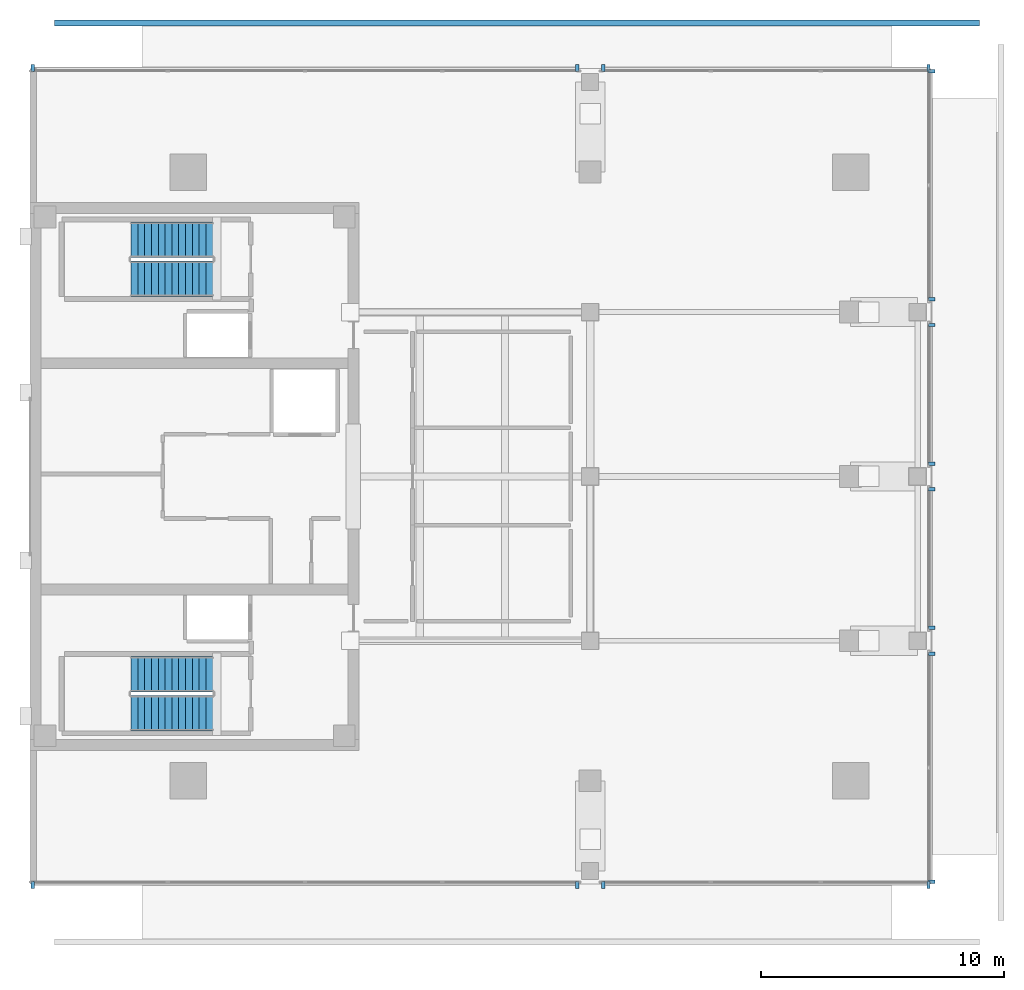
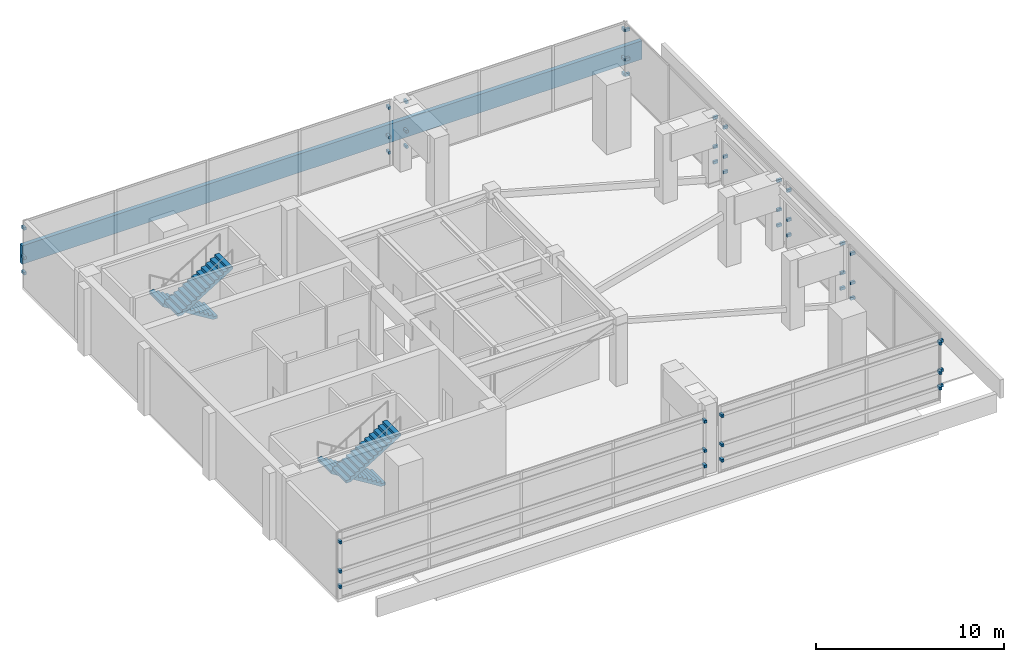
# One storey, part 9 of 13: 48 discrete accessories, 4 stair flights, 1 wall, 2 elements without a shape of their own.
"""IFC4 building model written with IfcOpenShell, lengths in metres."""

from ifc_helpers import new_model, si_unit, direction, frame, frame_2d, origin, origin_2d, place, context, subcontext, project, spatial, polyline, rectangle, outline, extrude, material, layer, layer_set, type_object, element, aggregate, save


model = new_model("IFC4")

# Units and contexts
model_context = context("Model", 3, precision=1e-05, world=origin(), true_north=direction((0.0, 1.0)))
body_context = subcontext(model_context, "Body", "Model", "MODEL_VIEW")
ifc_project = project(units=[si_unit("LENGTHUNIT", "METRE"), si_unit("AREAUNIT", "SQUARE_METRE"), si_unit("VOLUMEUNIT", "CUBIC_METRE"), si_unit("PLANEANGLEUNIT", "RADIAN"), si_unit("MASSUNIT", "GRAM", prefix="KILO")], contexts=[model_context])

# Site, building, storey
site_placement = place(None, origin())
site = spatial("IfcSite", under=ifc_project, at=site_placement, CompositionType="ELEMENT")
building_placement = place(site_placement, origin())
building = spatial("IfcBuilding", under=site, at=building_placement, Name="Kinhvarn Gate Tower", CompositionType="ELEMENT")
storey_placement = place(building_placement, frame((0.0, 0.0, 303.050048828125)))
storey = spatial("IfcBuildingStorey", under=building, at=storey_placement, Name="L80", CompositionType="ELEMENT", Elevation=303.050048828125)

# Wall
ifc_material_1 = material(Name="Fired architectural terracotta", Category="masonry")
ifc_layer = layer(ifc_material_1, 0.25)
ifc_layer_set = layer_set([ifc_layer], Name="Fired architectural terracotta")
wall_type = type_object("IfcWallType", Name="WL-PAR-250", PredefinedType="PARAPET", material=ifc_layer_set)
wall_placement = place(storey_placement, frame((43.5, 43.875, 0.0), z_axis=(0.0, 0.0, 1.0), x_axis=(-1.0, 0.0, 0.0)))
element("IfcWall", 1, at=wall_placement, inside=storey, type_object=wall_type, Name="Exterior Parapet Wall PRW-250 (L80 Crown-Step-Parapet-N)", PredefinedType="PARAPET", context=body_context, shape_type="SweptSolid", body=[
    extrude(rectangle(XDim=38.0, YDim=0.25, at=frame_2d((19.0, 0.0))), origin(), (0.0, 0.0, 1.0), 1.199951171875),
])

# Stair, stair flights
ifc_material_2 = material(Name="Concrete C40/50", Category="concrete")
stair_type = type_object("IfcStairType", Name="STR-DLG-173", PredefinedType="HALF_TURN_STAIR", material=ifc_material_2)
stair_1_placement = place(storey_placement, origin())
stair_1 = element("IfcStair", 2, at=stair_1_placement, inside=storey, type_object=stair_type, Name="L80 Core Smokeproof Exit Stair ST1", PredefinedType="HALF_TURN_STAIR")
stair_flight_type = type_object("IfcStairFlightType", Name="STF-DLG-173", PredefinedType="STRAIGHT", material=ifc_material_2)
stair_flight_1_placement = place(storey_placement, frame((12.0, 17.125, 0.0), z_axis=(0.0, 0.0, 1.0), x_axis=(-1.0, 0.0, 0.0)))
stair_flight_1 = element("IfcStairFlight", 3, at=stair_flight_1_placement, type_object=stair_flight_type, Name="ST1 flight 1", NumberOfRisers=13, NumberOfTreads=12, PredefinedType="STRAIGHT", RiserHeight=0.173076923, TreadLength=0.28, context=body_context, shape_type="SweptSolid", body=[
    extrude(outline(polyline([(0.0, 0.0), (0.0, 0.173095703125), (0.280029296875, 0.173095703125), (0.280029296875, 0.34619140625), (0.56005859375, 0.34619140625), (0.56005859375, 0.519287109375), (0.840087890625, 0.519287109375), (0.840087890625, 0.6923828125), (1.1201171875, 0.6923828125), (1.1201171875, 0.865478515625), (1.39990234375, 0.865478515625), (1.39990234375, 1.03857421875), (1.679931640625, 1.03857421875), (1.679931640625, 1.21142578125), (1.9599609375, 1.21142578125), (1.9599609375, 1.384521484375), (2.239990234375, 1.384521484375), (2.239990234375, 1.5576171875), (2.52001953125, 1.5576171875), (2.52001953125, 1.730712890625), (2.800048828125, 1.730712890625), (2.800048828125, 1.90380859375), (3.080078125, 1.90380859375), (3.080078125, 2.076904296875), (3.360107421875, 2.076904296875), (3.360107421875, 2.25), (3.360107421875, 1.900634765625), (0.28515625, 0.0), (0.0, 0.0)])), frame((0.0, 0.72509765625, 0.0), z_axis=(0.0, -1.0, 0.0), x_axis=(1.0, 0.0, 0.0)), (0.0, 0.0, 1.0), 1.449951171875),
])
stair_flight_2_placement = place(storey_placement, frame((8.639892578125, 15.52490234375, 2.25), z_axis=(0.0, 0.0, 1.0), x_axis=(1.0, 0.0, 0.0)))
stair_flight_2 = element("IfcStairFlight", 4, at=stair_flight_2_placement, type_object=stair_flight_type, Name="ST1 flight 2", NumberOfRisers=13, NumberOfTreads=12, PredefinedType="STRAIGHT", RiserHeight=0.173076923, TreadLength=0.28, context=body_context, shape_type="SweptSolid", body=[
    extrude(outline(polyline([(0.0, 0.0), (0.0, 0.173095703125), (0.280029296875, 0.173095703125), (0.280029296875, 0.34619140625), (0.56005859375, 0.34619140625), (0.56005859375, 0.519287109375), (0.840087890625, 0.519287109375), (0.840087890625, 0.6923828125), (1.1201171875, 0.6923828125), (1.1201171875, 0.865478515625), (1.39990234375, 0.865478515625), (1.39990234375, 1.03857421875), (1.679931640625, 1.03857421875), (1.679931640625, 1.21142578125), (1.9599609375, 1.21142578125), (1.9599609375, 1.384521484375), (2.239990234375, 1.384521484375), (2.239990234375, 1.5576171875), (2.52001953125, 1.5576171875), (2.52001953125, 1.730712890625), (2.800048828125, 1.730712890625), (2.800048828125, 1.90380859375), (3.080078125, 1.90380859375), (3.080078125, 2.076904296875), (3.360107421875, 2.076904296875), (3.360107421875, 2.25), (3.360107421875, 1.900634765625), (0.28515625, 0.0), (0.0, 0.0)])), frame((0.0, 0.72509765625, 0.0), z_axis=(0.0, -1.0, 0.0), x_axis=(1.0, 0.0, 0.0)), (0.0, 0.0, 1.0), 1.449951171875),
])
aggregate(stair_1, [stair_flight_1, stair_flight_2])

stair_2_placement = place(storey_placement, origin())
stair_2 = element("IfcStair", 5, at=stair_2_placement, inside=storey, type_object=stair_type, Name="L80 Core Smokeproof Exit Stair ST2", PredefinedType="HALF_TURN_STAIR")
stair_flight_3_placement = place(storey_placement, frame((12.0, 34.97509765625, 0.0), z_axis=(0.0, 0.0, 1.0), x_axis=(-1.0, 0.0, 0.0)))
stair_flight_3 = element("IfcStairFlight", 6, at=stair_flight_3_placement, type_object=stair_flight_type, Name="ST2 flight 1", NumberOfRisers=13, NumberOfTreads=12, PredefinedType="STRAIGHT", RiserHeight=0.173076923, TreadLength=0.28, context=body_context, shape_type="SweptSolid", body=[
    extrude(outline(polyline([(0.0, 0.0), (0.0, 0.173095703125), (0.280029296875, 0.173095703125), (0.280029296875, 0.34619140625), (0.56005859375, 0.34619140625), (0.56005859375, 0.519287109375), (0.840087890625, 0.519287109375), (0.840087890625, 0.6923828125), (1.1201171875, 0.6923828125), (1.1201171875, 0.865478515625), (1.39990234375, 0.865478515625), (1.39990234375, 1.03857421875), (1.679931640625, 1.03857421875), (1.679931640625, 1.21142578125), (1.9599609375, 1.21142578125), (1.9599609375, 1.384521484375), (2.239990234375, 1.384521484375), (2.239990234375, 1.5576171875), (2.52001953125, 1.5576171875), (2.52001953125, 1.730712890625), (2.800048828125, 1.730712890625), (2.800048828125, 1.90380859375), (3.080078125, 1.90380859375), (3.080078125, 2.076904296875), (3.360107421875, 2.076904296875), (3.360107421875, 2.25), (3.360107421875, 1.900634765625), (0.28515625, 0.0), (0.0, 0.0)])), frame((0.0, 0.72509765625, 0.0), z_axis=(0.0, -1.0, 0.0), x_axis=(1.0, 0.0, 0.0)), (0.0, 0.0, 1.0), 1.449951171875),
])
stair_flight_4_placement = place(storey_placement, frame((8.639892578125, 33.375, 2.25), z_axis=(0.0, 0.0, 1.0), x_axis=(1.0, 0.0, 0.0)))
stair_flight_4 = element("IfcStairFlight", 7, at=stair_flight_4_placement, type_object=stair_flight_type, Name="ST2 flight 2", NumberOfRisers=13, NumberOfTreads=12, PredefinedType="STRAIGHT", RiserHeight=0.173076923, TreadLength=0.28, context=body_context, shape_type="SweptSolid", body=[
    extrude(outline(polyline([(0.0, 0.0), (0.0, 0.173095703125), (0.280029296875, 0.173095703125), (0.280029296875, 0.34619140625), (0.56005859375, 0.34619140625), (0.56005859375, 0.519287109375), (0.840087890625, 0.519287109375), (0.840087890625, 0.6923828125), (1.1201171875, 0.6923828125), (1.1201171875, 0.865478515625), (1.39990234375, 0.865478515625), (1.39990234375, 1.03857421875), (1.679931640625, 1.03857421875), (1.679931640625, 1.21142578125), (1.9599609375, 1.21142578125), (1.9599609375, 1.384521484375), (2.239990234375, 1.384521484375), (2.239990234375, 1.5576171875), (2.52001953125, 1.5576171875), (2.52001953125, 1.730712890625), (2.800048828125, 1.730712890625), (2.800048828125, 1.90380859375), (3.080078125, 1.90380859375), (3.080078125, 2.076904296875), (3.360107421875, 2.076904296875), (3.360107421875, 2.25), (3.360107421875, 1.900634765625), (0.28515625, 0.0), (0.0, 0.0)])), frame((0.0, 0.72509765625, 0.0), z_axis=(0.0, -1.0, 0.0), x_axis=(1.0, 0.0, 0.0)), (0.0, 0.0, 1.0), 1.449951171875),
])
aggregate(stair_2, [stair_flight_3, stair_flight_4])

# Discrete accessories
ifc_material_3 = material(Name="Anodised aluminium AW-6063", Category="aluminium")
discrete_accessory_type = type_object("IfcDiscreteAccessoryType", Name="ACC-BRK-01", PredefinedType="BRACKET", material=ifc_material_3)
for number, where, z_axis, x_axis, name in (
    (8, (4.60009765625, 8.469970703125, 0.759765625), (0.0, 0.0, 1.0), (1.0, 0.0, 0.0), "Baguette Support Bracket BK-01 (L80)"),
    (9, (4.60009765625, 8.469970703125, 1.759765625), (0.0, 0.0, 1.0), (1.0, 0.0, 0.0), "Baguette Support Bracket BK-01 (L80)"),
    (10, (4.60009765625, 8.469970703125, 3.66015625), (0.0, 0.0, 1.0), (1.0, 0.0, 0.0), "Baguette Support Bracket BK-01 (L80)"),
    (11, (26.969970703125, 8.469970703125, 0.759765625), (0.0, 0.0, 1.0), (1.0, 0.0, 0.0), "Baguette Support Bracket BK-01 (L80)"),
    (12, (26.969970703125, 8.469970703125, 1.759765625), (0.0, 0.0, 1.0), (1.0, 0.0, 0.0), "Baguette Support Bracket BK-01 (L80)"),
    (13, (26.969970703125, 8.469970703125, 3.66015625), (0.0, 0.0, 1.0), (1.0, 0.0, 0.0), "Baguette Support Bracket BK-01 (L80)"),
    (14, (28.030029296875, 8.469970703125, 0.759765625), (0.0, 0.0, 1.0), (1.0, 0.0, 0.0), "Baguette Support Bracket BK-01 (L80)"),
    (15, (28.030029296875, 8.469970703125, 1.759765625), (0.0, 0.0, 1.0), (1.0, 0.0, 0.0), "Baguette Support Bracket BK-01 (L80)"),
    (16, (28.030029296875, 8.469970703125, 3.66015625), (0.0, 0.0, 1.0), (1.0, 0.0, 0.0), "Baguette Support Bracket BK-01 (L80)"),
    (17, (41.39990234375, 8.469970703125, 0.759765625), (0.0, 0.0, 1.0), (1.0, 0.0, 0.0), "Baguette Support Bracket BK-01 (L80)"),
    (18, (41.39990234375, 8.469970703125, 1.759765625), (0.0, 0.0, 1.0), (1.0, 0.0, 0.0), "Baguette Support Bracket BK-01 (L80)"),
    (19, (41.39990234375, 8.469970703125, 3.66015625), (0.0, 0.0, 1.0), (1.0, 0.0, 0.0), "Baguette Support Bracket BK-01 (L80)"),
    (20, (41.39990234375, 42.030029296875, 0.759765625), (0.0, 0.0, 1.0), (-1.0, 0.0, 0.0), "Baguette Support Bracket BK-01 (L80)"),
    (21, (41.39990234375, 42.030029296875, 1.759765625), (0.0, 0.0, 1.0), (-1.0, 0.0, 0.0), "Baguette Support Bracket BK-01 (L80)"),
    (22, (41.39990234375, 42.030029296875, 3.66015625), (0.0, 0.0, 1.0), (-1.0, 0.0, 0.0), "Baguette Support Bracket BK-01 (L80)"),
    (23, (28.030029296875, 42.030029296875, 0.759765625), (0.0, 0.0, 1.0), (-1.0, 0.0, 0.0), "Baguette Support Bracket BK-01 (L80)"),
    (24, (28.030029296875, 42.030029296875, 1.759765625), (0.0, 0.0, 1.0), (-1.0, 0.0, 0.0), "Baguette Support Bracket BK-01 (L80)"),
    (25, (28.030029296875, 42.030029296875, 3.66015625), (0.0, 0.0, 1.0), (-1.0, 0.0, 0.0), "Baguette Support Bracket BK-01 (L80)"),
    (26, (26.969970703125, 42.030029296875, 0.759765625), (0.0, 0.0, 1.0), (-1.0, 0.0, 0.0), "Baguette Support Bracket BK-01 (L80)"),
    (27, (26.969970703125, 42.030029296875, 1.759765625), (0.0, 0.0, 1.0), (-1.0, 0.0, 0.0), "Baguette Support Bracket BK-01 (L80)"),
    (28, (26.969970703125, 42.030029296875, 3.66015625), (0.0, 0.0, 1.0), (-1.0, 0.0, 0.0), "Baguette Support Bracket BK-01 (L80)"),
    (29, (4.60009765625, 42.030029296875, 0.759765625), (0.0, 0.0, 1.0), (-1.0, 0.0, 0.0), "Baguette Support Bracket BK-01 (L80)"),
    (30, (4.60009765625, 42.030029296875, 1.759765625), (0.0, 0.0, 1.0), (-1.0, 0.0, 0.0), "Baguette Support Bracket BK-01 (L80)"),
    (31, (4.60009765625, 42.030029296875, 3.66015625), (0.0, 0.0, 1.0), (-1.0, 0.0, 0.0), "Baguette Support Bracket BK-01 (L80)"),
    (32, (41.530029296875, 8.60009765625, 0.759765625), (0.0, 0.0, 1.0), (0.0, 1.0, 0.0), "Baguette Support Bracket BK-01 (L80)"),
    (33, (41.530029296875, 8.60009765625, 1.759765625), (0.0, 0.0, 1.0), (0.0, 1.0, 0.0), "Baguette Support Bracket BK-01 (L80)"),
    (34, (41.530029296875, 8.60009765625, 3.66015625), (0.0, 0.0, 1.0), (0.0, 1.0, 0.0), "Baguette Support Bracket BK-01 (L80)"),
    (35, (41.530029296875, 17.969970703125, 0.759765625), (0.0, 0.0, 1.0), (0.0, 1.0, 0.0), "Baguette Support Bracket BK-01 (L80)"),
    (36, (41.530029296875, 17.969970703125, 1.759765625), (0.0, 0.0, 1.0), (0.0, 1.0, 0.0), "Baguette Support Bracket BK-01 (L80)"),
    (37, (41.530029296875, 17.969970703125, 3.66015625), (0.0, 0.0, 1.0), (0.0, 1.0, 0.0), "Baguette Support Bracket BK-01 (L80)"),
    (38, (41.530029296875, 19.030029296875, 0.759765625), (0.0, 0.0, 1.0), (0.0, 1.0, 0.0), "Baguette Support Bracket BK-01 (L80)"),
    (39, (41.530029296875, 19.030029296875, 1.759765625), (0.0, 0.0, 1.0), (0.0, 1.0, 0.0), "Baguette Support Bracket BK-01 (L80)"),
    (40, (41.530029296875, 19.030029296875, 3.66015625), (0.0, 0.0, 1.0), (0.0, 1.0, 0.0), "Baguette Support Bracket BK-01 (L80)"),
    (41, (41.530029296875, 24.719970703125, 0.759765625), (0.0, 0.0, 1.0), (0.0, 1.0, 0.0), "Baguette Support Bracket BK-01 (L80)"),
    (42, (41.530029296875, 24.719970703125, 1.759765625), (0.0, 0.0, 1.0), (0.0, 1.0, 0.0), "Baguette Support Bracket BK-01 (L80)"),
    (43, (41.530029296875, 24.719970703125, 3.66015625), (0.0, 0.0, 1.0), (0.0, 1.0, 0.0), "Baguette Support Bracket BK-01 (L80)"),
    (44, (41.530029296875, 25.780029296875, 0.759765625), (0.0, 0.0, 1.0), (0.0, 1.0, 0.0), "Baguette Support Bracket BK-01 (L80)"),
    (45, (41.530029296875, 25.780029296875, 1.759765625), (0.0, 0.0, 1.0), (0.0, 1.0, 0.0), "Baguette Support Bracket BK-01 (L80)"),
    (46, (41.530029296875, 25.780029296875, 3.66015625), (0.0, 0.0, 1.0), (0.0, 1.0, 0.0), "Baguette Support Bracket BK-01 (L80)"),
    (47, (41.530029296875, 31.469970703125, 0.759765625), (0.0, 0.0, 1.0), (0.0, 1.0, 0.0), "Baguette Support Bracket BK-01 (L80)"),
    (48, (41.530029296875, 31.469970703125, 1.759765625), (0.0, 0.0, 1.0), (0.0, 1.0, 0.0), "Baguette Support Bracket BK-01 (L80)"),
    (49, (41.530029296875, 31.469970703125, 3.66015625), (0.0, 0.0, 1.0), (0.0, 1.0, 0.0), "Baguette Support Bracket BK-01 (L80)"),
    (50, (41.530029296875, 32.530029296875, 0.759765625), (0.0, 0.0, 1.0), (0.0, 1.0, 0.0), "Baguette Support Bracket BK-01 (L80)"),
    (51, (41.530029296875, 32.530029296875, 1.759765625), (0.0, 0.0, 1.0), (0.0, 1.0, 0.0), "Baguette Support Bracket BK-01 (L80)"),
    (52, (41.530029296875, 32.530029296875, 3.66015625), (0.0, 0.0, 1.0), (0.0, 1.0, 0.0), "Baguette Support Bracket BK-01 (L80)"),
    (53, (41.530029296875, 41.89990234375, 0.759765625), (0.0, 0.0, 1.0), (0.0, 1.0, 0.0), "Baguette Support Bracket BK-01 (L80)"),
    (54, (41.530029296875, 41.89990234375, 1.759765625), (0.0, 0.0, 1.0), (0.0, 1.0, 0.0), "Baguette Support Bracket BK-01 (L80)"),
    (55, (41.530029296875, 41.89990234375, 3.66015625), (0.0, 0.0, 1.0), (0.0, 1.0, 0.0), "Baguette Support Bracket BK-01 (L80)"),
):
    element("IfcDiscreteAccessory", number, at=place(storey_placement, frame(where, z_axis=z_axis, x_axis=x_axis)), inside=storey, type_object=discrete_accessory_type, Name=name, PredefinedType="BRACKET", context=body_context, shape_type="SweptSolid", body=[
        extrude(rectangle(XDim=0.139892578125, YDim=0.280029296875, at=origin_2d()), origin(), (0.0, 0.0, 1.0), 0.179931640625),
    ])

save(model, "model.ifc")
